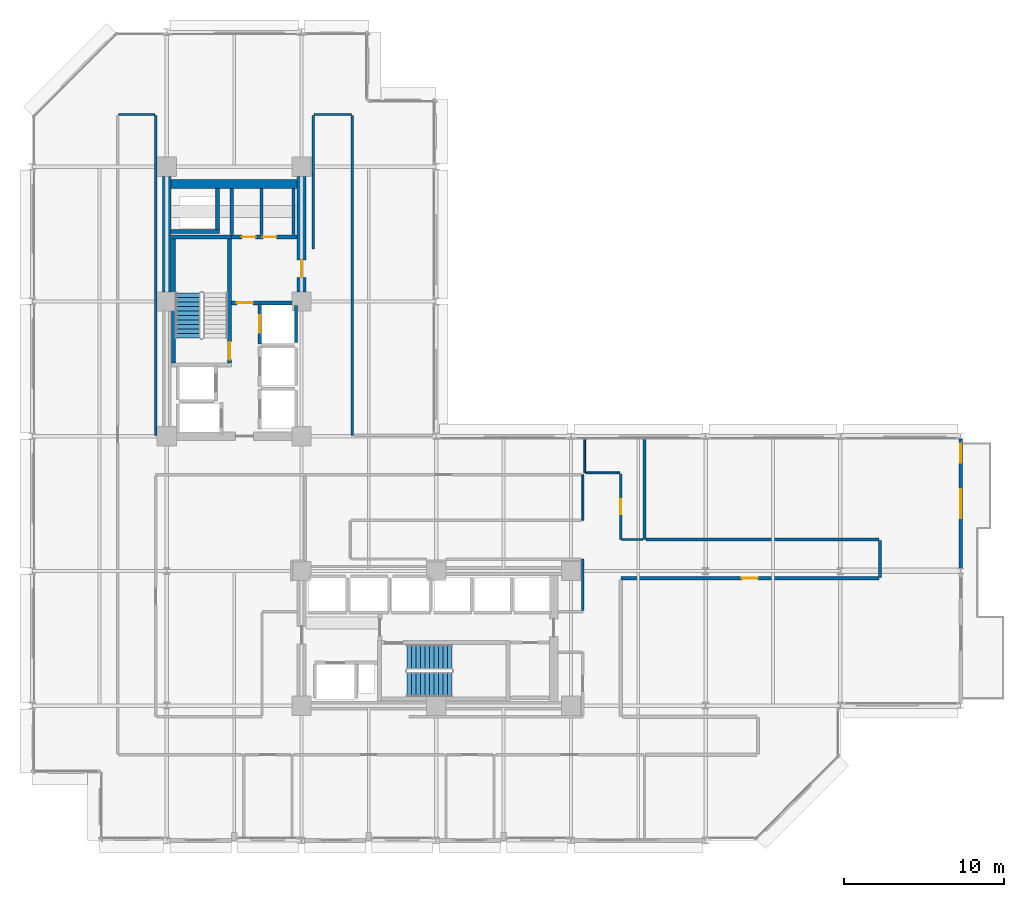
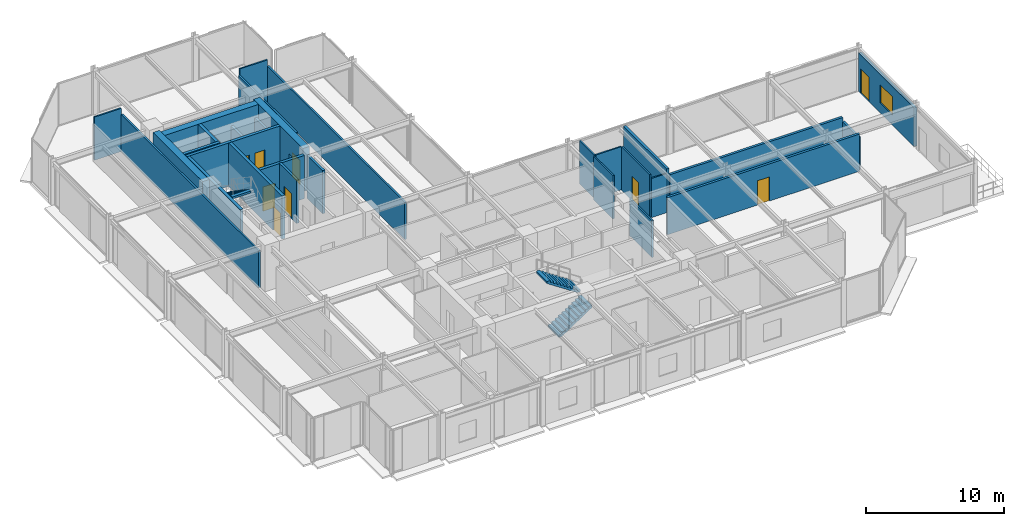
# One storey, part 34 of 39: 31 walls, 9 doors, 3 stair flights, 1 window, 10 openings, 2 elements without a shape of their own.
"""IFC4 building model written with IfcOpenShell, lengths in metres."""

from ifc_helpers import new_model, si_unit, direction, frame, frame_2d, origin, place, context, subcontext, project, spatial, polyline, rectangle, outline, extrude, material, layer, layer_set, type_object, element, fill, aggregate, save


model = new_model("IFC4")

# Units and contexts
model_context = context("Model", 3, precision=1e-05, world=origin(), true_north=direction((0.0, 1.0)))
body_context = subcontext(model_context, "Body", "Model", "MODEL_VIEW")
ifc_project = project(units=[si_unit("LENGTHUNIT", "METRE"), si_unit("AREAUNIT", "SQUARE_METRE"), si_unit("VOLUMEUNIT", "CUBIC_METRE"), si_unit("PLANEANGLEUNIT", "RADIAN"), si_unit("MASSUNIT", "GRAM", prefix="KILO")], contexts=[model_context])

# Site, building, storey
site_placement = place(None, origin())
site = spatial("IfcSite", under=ifc_project, at=site_placement, CompositionType="ELEMENT")
building_placement = place(site_placement, origin())
building = spatial("IfcBuilding", under=site, at=building_placement, Name="Nerrivon Quay Data Exchange", CompositionType="ELEMENT")
storey_placement = place(building_placement, frame((0.0, 0.0, 92.60009765625)))
storey = spatial("IfcBuildingStorey", under=building, at=storey_placement, Name="L21", CompositionType="ELEMENT", Elevation=92.60009765625)

# Wall, openings, door, window
ifc_material_1 = material(Name="Architectural terracotta precast concrete N50 (50 MPa)", Category="masonry")
ifc_layer_1 = layer(ifc_material_1, 0.239990234375)
ifc_layer_set_1 = layer_set([ifc_layer_1], Name="Architectural terracotta precast concrete N50 (50 MPa)")
wall_type_1 = type_object("IfcWallType", Name="EW-PREC-240", PredefinedType="STANDARD", material=ifc_layer_set_1)
wall_1_placement = place(storey_placement, frame((57.89990234375, 25.03662109375, 0.0), z_axis=(0.0, 0.0, 1.0), x_axis=(0.0, -1.0, 0.0)))
wall_1 = element("IfcWall", 1, at=wall_1_placement, inside=storey, type_object=wall_type_1, Name="L21 Terrace Host Wall 1", PredefinedType="STANDARD", context=body_context, shape_type="SweptSolid", body=[
    extrude(rectangle(XDim=8.0732421875, YDim=0.239990234375, at=frame_2d((4.03662109375, 0.0))), origin(), (0.0, 0.0, 1.0), 3.421875),
])
opening_1_placement = place(wall_1_placement, frame((0.300048828125, 0.0, 0.0)))
opening_1 = element("IfcOpeningElement", 2, at=opening_1_placement, cuts=wall_1, Name="Opening TD1", PredefinedType="OPENING", context=body_context, shape_type="SweptSolid", body=[
    extrude(rectangle(XDim=1.199951171875, YDim=2.199951171875, at=frame_2d((0.60009765625, 1.10009765625))), frame((0.0, 0.1298828125, 0.0), z_axis=(0.0, -1.0, 0.0), x_axis=(1.0, 0.0, 0.0)), (0.0, 0.0, 1.0), 0.260009765625),
])
opening_2_placement = place(wall_1_placement, frame((3.136474609375, 0.0, 0.89990234375)))
opening_2 = element("IfcOpeningElement", 3, at=opening_2_placement, cuts=wall_1, Name="Opening WN2", PredefinedType="OPENING", context=body_context, shape_type="SweptSolid", body=[
    extrude(rectangle(XDim=1.800048828125, YDim=1.60009765625, at=frame_2d((0.89990234375, 0.800048828125))), frame((0.0, 0.1298828125, 0.0), z_axis=(0.0, -1.0, 0.0), x_axis=(1.0, 0.0, 0.0)), (0.0, 0.0, 1.0), 0.260009765625),
])
ifc_material_2 = material(Name="Double-glazed low-E solar control glass", Category="glass")
door_type_1 = type_object("IfcDoorType", Name="DR-TERR-1200x2200", OperationType="NOTDEFINED", PredefinedType="DOOR", material=ifc_material_2)
door_1_placement = place(opening_1_placement, origin())
door_1 = element("IfcDoor", 4, at=door_1_placement, inside=storey, type_object=door_type_1, Name="L21 Outdoor Terrace Access Door 1", OperationType="SINGLE_SWING_RIGHT", OverallHeight=2.199951171875, OverallWidth=1.199951171875, PredefinedType="DOOR", context=body_context, shape_type="SweptSolid", body=[
    extrude(rectangle(XDim=1.199951171875, YDim=2.199951171875, at=frame_2d((0.60009765625, 1.10009765625))), frame((0.0, 0.02490234375, 0.0), z_axis=(0.0, -1.0, 0.0), x_axis=(1.0, 0.0, 0.0)), (0.0, 0.0, 1.0), 0.050048828125),
])
fill(opening_1, door_1)
window_type = type_object("IfcWindowType", Name="WIN-W2-1800x1600", PartitioningType="SINGLE_PANEL", PredefinedType="WINDOW", material=ifc_material_2)
window_placement = place(opening_2_placement, origin())
window = element("IfcWindow", 5, at=window_placement, inside=storey, type_object=window_type, Name="L21 Terrace Side Window 1", OverallHeight=1.60009765625, OverallWidth=1.800048828125, PartitioningType="SINGLE_PANEL", PredefinedType="WINDOW", context=body_context, shape_type="SweptSolid", body=[
    extrude(rectangle(XDim=1.800048828125, YDim=1.60009765625, at=frame_2d((0.89990234375, 0.800048828125))), frame((0.0, 0.030029296875, 0.0), z_axis=(0.0, -1.0, 0.0), x_axis=(1.0, 0.0, 0.0)), (0.0, 0.0, 1.0), 0.06005859375),
])
fill(opening_2, window)

# Walls
ifc_material_3 = material(Name="Concrete S65 (65 MPa)", Category="concrete")
ifc_layer_2 = layer(ifc_material_3, 0.550048828125)
ifc_layer_set_2 = layer_set([ifc_layer_2], Name="Concrete S65 (65 MPa)")
wall_type_2 = type_object("IfcWallType", Name="WALL-CW-700", PredefinedType="SHEAR", material=ifc_layer_set_2)
wall_2_placement = place(storey_placement, frame((8.39990234375, 34.199951171875, 0.0), z_axis=(0.0, 0.0, 1.0), x_axis=(0.0, 1.0, 0.0)))
element("IfcWall", 6, at=wall_2_placement, inside=storey, type_object=wall_type_2, Name="L21 West Split-Core Shear Wall WCW-W2", PredefinedType="SHEAR", context=body_context, shape_type="SweptSolid", body=[
    extrude(rectangle(XDim=7.199951171875, YDim=0.550048828125, at=frame_2d((3.60009765625, 0.0))), origin(), (0.0, 0.0, 1.0), 3.824951171875),
])
wall_3_placement = place(storey_placement, frame((8.675048828125, 40.925048828125, 0.0), z_axis=(0.0, 0.0, 1.0), x_axis=(1.0, 0.0, 0.0)))
element("IfcWall", 7, at=wall_3_placement, inside=storey, type_object=wall_type_2, Name="L21 West Split-Core Shear Wall WCW-N1", PredefinedType="SHEAR", context=body_context, shape_type="SweptSolid", body=[
    extrude(rectangle(XDim=7.849853515625, YDim=0.550048828125, at=frame_2d((3.9248046875, 0.0))), origin(), (0.0, 0.0, 1.0), 3.824951171875),
])

# Wall, opening, door
wall_4_placement = place(storey_placement, frame((16.800048828125, 34.199951171875, 0.0), z_axis=(0.0, 0.0, 1.0), x_axis=(0.0, 1.0, 0.0)))
wall_4 = element("IfcWall", 8, at=wall_4_placement, inside=storey, type_object=wall_type_2, Name="L21 West Split-Core Shear Wall WCW-E1", PredefinedType="SHEAR", context=body_context, shape_type="SweptSolid", body=[
    extrude(rectangle(XDim=7.199951171875, YDim=0.550048828125, at=frame_2d((3.60009765625, 0.0))), origin(), (0.0, 0.0, 1.0), 3.824951171875),
])
opening_3_placement = place(wall_4_placement, frame((0.89990234375, 0.0, 0.0)))
opening_3 = element("IfcOpeningElement", 9, at=opening_3_placement, cuts=wall_4, Name="Opening FD-120", PredefinedType="OPENING", context=body_context, shape_type="SweptSolid", body=[
    extrude(rectangle(XDim=1.10009765625, YDim=2.14990234375, at=frame_2d((0.550048828125, 1.074951171875))), frame((0.0, 0.284912109375, 0.0), z_axis=(0.0, -1.0, 0.0), x_axis=(1.0, 0.0, 0.0)), (0.0, 0.0, 1.0), 0.570068359375),
])
ifc_material_4 = material(Name="Powder-coated galvanized steel sheet", Category="steel")
door_type_2 = type_object("IfcDoorType", Name="DR-FD120-1100", OperationType="NOTDEFINED", PredefinedType="DOOR", material=ifc_material_4)
door_2_placement = place(opening_3_placement, origin())
door_2 = element("IfcDoor", 10, at=door_2_placement, inside=storey, type_object=door_type_2, Name="L21 West Core Lobby Fire Door", OperationType="SINGLE_SWING_RIGHT", OverallHeight=2.14990234375, OverallWidth=1.10009765625, PredefinedType="DOOR", context=body_context, shape_type="SweptSolid", body=[
    extrude(rectangle(XDim=1.10009765625, YDim=2.14990234375, at=frame_2d((0.550048828125, 1.074951171875))), frame((0.0, 0.02490234375, 0.0), z_axis=(0.0, -1.0, 0.0), x_axis=(1.0, 0.0, 0.0)), (0.0, 0.0, 1.0), 0.050048828125),
])
fill(opening_3, door_2)

ifc_material_5 = material(Name="Gypsum plasterboard on cold-formed framing", Category="gypsum")
ifc_layer_3 = layer(ifc_material_5, 0.199951171875)
ifc_layer_set_3 = layer_set([ifc_layer_3], Name="Gypsum plasterboard on cold-formed framing")
wall_type_3 = type_object("IfcWallType", Name="WALL-FW-200", PredefinedType="PARTITIONING", material=ifc_layer_set_3)
wall_5_placement = place(storey_placement, frame((14.199951171875, 30.949951171875, 0.0), z_axis=(0.0, 0.0, 1.0), x_axis=(0.0, 1.0, 0.0)))
wall_5 = element("IfcWall", 11, at=wall_5_placement, inside=storey, type_object=wall_type_3, Name="L21 Lift Front Wall PL3", PredefinedType="PARTITIONING", context=body_context, shape_type="SweptSolid", body=[
    extrude(rectangle(XDim=2.5, YDim=0.199951171875, at=frame_2d((1.25, 0.0))), origin(), (0.0, 0.0, 1.0), 3.824951171875),
])
opening_4_placement = place(wall_5_placement, frame((0.699951171875, 0.0, 0.0)))
opening_4 = element("IfcOpeningElement", 12, at=opening_4_placement, cuts=wall_5, Name="Opening LD-120", PredefinedType="OPENING", context=body_context, shape_type="SweptSolid", body=[
    extrude(rectangle(XDim=1.10009765625, YDim=2.199951171875, at=frame_2d((0.550048828125, 1.10009765625))), frame((0.0, 0.10986328125, 0.0), z_axis=(0.0, -1.0, 0.0), x_axis=(1.0, 0.0, 0.0)), (0.0, 0.0, 1.0), 0.219970703125),
])
door_type_3 = type_object("IfcDoorType", Name="DR-LIFT-LD120", OperationType="DOUBLE_DOOR_SLIDING", PredefinedType="DOOR", material=ifc_material_4)
door_3_placement = place(opening_4_placement, origin())
door_3 = element("IfcDoor", 13, at=door_3_placement, inside=storey, type_object=door_type_3, Name="L21 Lift Landing Sliding Door PL3", OperationType="DOUBLE_DOOR_SLIDING", OverallHeight=2.199951171875, OverallWidth=1.10009765625, PredefinedType="DOOR", context=body_context, shape_type="SweptSolid", body=[
    extrude(rectangle(XDim=1.10009765625, YDim=2.199951171875, at=frame_2d((0.550048828125, 1.10009765625))), frame((0.0, 0.02490234375, 0.0), z_axis=(0.0, -1.0, 0.0), x_axis=(1.0, 0.0, 0.0)), (0.0, 0.0, 1.0), 0.050048828125),
])
fill(opening_4, door_3)

# Walls
wall_6_placement = place(storey_placement, frame((16.449951171875, 31.050048828125, 0.0), z_axis=(0.0, 0.0, 1.0), x_axis=(0.0, 1.0, 0.0)))
element("IfcWall", 14, at=wall_6_placement, inside=storey, type_object=wall_type_3, Name="L21 Lift Shaft Wall PL3 EAST", PredefinedType="PARTITIONING", context=body_context, shape_type="SweptSolid", body=[
    extrude(rectangle(XDim=2.300048828125, YDim=0.199951171875, at=frame_2d((1.14990234375, 0.0))), origin(), (0.0, 0.0, 1.0), 3.824951171875),
])
for number, where, z_axis, x_axis, name in (
    (15, (14.300048828125, 37.780029296875, 0.0), (0.0, 0.0, 1.0), (0.0, 1.0, 0.0), "L21 Partition Cleaners Store"),
    (16, (12.449951171875, 40.64599609375, 0.0), (0.0, 0.0, 1.0), (0.0, -1.0, 0.0), "L21 Partition Cleaners Store"),
    (17, (16.300048828125, 37.780029296875, 0.0), (0.0, 0.0, 1.0), (0.0, 1.0, 0.0), "L21 Partition Janitor Closet"),
):
    element("IfcWall", number, at=place(storey_placement, frame(where, z_axis=z_axis, x_axis=x_axis)), inside=storey, type_object=wall_type_3, Name=name, PredefinedType="PARTITIONING", context=body_context, shape_type="SweptSolid", body=[
        extrude(rectangle(XDim=2.865966796875, YDim=0.199951171875, at=frame_2d((1.43310546875, 0.0))), origin(), (0.0, 0.0, 1.0), 2.724853515625),
    ])

# Wall, opening, door
wall_7_placement = place(storey_placement, frame((52.800048828125, 16.340087890625, 0.0), z_axis=(0.0, 0.0, 1.0), x_axis=(-1.0, 0.0, 0.0)))
wall_7 = element("IfcWall", 18, at=wall_7_placement, inside=storey, type_object=wall_type_3, Name="L21 Partition Colocation Data Workspace 1", PredefinedType="PARTITIONING", context=body_context, shape_type="SweptSolid", body=[
    extrude(rectangle(XDim=16.090087890625, YDim=0.199951171875, at=frame_2d((8.044921875, 0.0))), origin(), (0.0, 0.0, 1.0), 3.296875),
])
opening_5_placement = place(wall_7_placement, frame((7.544921875, 0.0, 0.0)))
opening_5 = element("IfcOpeningElement", 19, at=opening_5_placement, cuts=wall_7, Name="Opening FD-60", PredefinedType="OPENING", context=body_context, shape_type="SweptSolid", body=[
    extrude(rectangle(XDim=1.0, YDim=2.14990234375, at=frame_2d((0.5, 1.074951171875))), frame((0.0, 0.10986328125, 0.0), z_axis=(0.0, -1.0, 0.0), x_axis=(1.0, 0.0, 0.0)), (0.0, 0.0, 1.0), 0.219970703125),
])
ifc_material_6 = material(Name="Engineered hardwood timber", Category="wood")
door_type_4 = type_object("IfcDoorType", Name="DR-FD60-1000", OperationType="NOTDEFINED", PredefinedType="DOOR", material=ifc_material_6)
door_4_placement = place(opening_5_placement, origin())
door_4 = element("IfcDoor", 20, at=door_4_placement, inside=storey, type_object=door_type_4, Name="L21 Door Colocation Data Workspace 1", OperationType="SINGLE_SWING_RIGHT", OverallHeight=2.14990234375, OverallWidth=1.0, PredefinedType="DOOR", context=body_context, shape_type="SweptSolid", body=[
    extrude(rectangle(XDim=1.0, YDim=2.14990234375, at=frame_2d((0.5, 1.074951171875))), frame((0.0, 0.02490234375, 0.0), z_axis=(0.0, -1.0, 0.0), x_axis=(1.0, 0.0, 0.0)), (0.0, 0.0, 1.0), 0.050048828125),
])
fill(opening_5, door_4)

# Walls
wall_8_placement = place(storey_placement, frame((38.181884765625, 25.031005859375, 0.0), z_axis=(0.0, 0.0, 1.0), x_axis=(0.0, -1.0, 0.0)))
element("IfcWall", 21, at=wall_8_placement, inside=storey, type_object=wall_type_3, Name="L21 Partition Colocation Data Workspace 1", PredefinedType="PARTITIONING", context=body_context, shape_type="SweptSolid", body=[
    extrude(rectangle(XDim=6.27099609375, YDim=0.199951171875, at=frame_2d((3.135498046875, 0.0))), origin(), (0.0, 0.0, 1.0), 3.824951171875),
])
wall_9_placement = place(storey_placement, frame((38.285888671875, 18.760009765625, 0.0), z_axis=(0.0, 0.0, 1.0), x_axis=(1.0, 0.0, 0.0)))
element("IfcWall", 22, at=wall_9_placement, inside=storey, type_object=wall_type_3, Name="L21 Partition Colocation Data Workspace 1", PredefinedType="PARTITIONING", context=body_context, shape_type="SweptSolid", body=[
    extrude(rectangle(XDim=14.51416015625, YDim=0.199951171875, at=frame_2d((7.257080078125, 0.0))), origin(), (0.0, 0.0, 1.0), 3.296875),
])
wall_10_placement = place(storey_placement, frame((52.860107421875, 18.699951171875, 0.0), z_axis=(0.0, 0.0, 1.0), x_axis=(0.0, -1.0, 0.0)))
element("IfcWall", 23, at=wall_10_placement, inside=storey, type_object=wall_type_3, Name="L21 Partition Colocation Data Workspace 1", PredefinedType="PARTITIONING", context=body_context, shape_type="SweptSolid", body=[
    extrude(rectangle(XDim=2.300048828125, YDim=0.199951171875, at=frame_2d((1.14990234375, 0.0))), origin(), (0.0, 0.0, 1.0), 2.914794921875),
])
ifc_layer_4 = layer(ifc_material_5, 0.1201171875)
ifc_layer_set_4 = layer_set([ifc_layer_4], Name="Gypsum plasterboard on cold-formed framing")
wall_type_4 = type_object("IfcWallType", Name="WALL-PT-120", PredefinedType="PARTITIONING", material=ifc_layer_set_4)
wall_11_placement = place(storey_placement, frame((34.340087890625, 19.9599609375, 0.0), z_axis=(0.0, 0.0, 1.0), x_axis=(0.0, 1.0, 0.0)))
element("IfcWall", 24, at=wall_11_placement, inside=storey, type_object=wall_type_4, Name="L21 Partition Technical Library", PredefinedType="PARTITIONING", context=body_context, shape_type="SweptSolid", body=[
    extrude(rectangle(XDim=2.830078125, YDim=0.1201171875, at=frame_2d((1.4150390625, 0.0))), origin(), (0.0, 0.0, 1.0), 3.824951171875),
])
wall_12_placement = place(storey_placement, frame((36.781494140625, 18.760009765625, 0.0), z_axis=(0.0, 0.0, 1.0), x_axis=(1.0, 0.0, 0.0)))
element("IfcWall", 25, at=wall_12_placement, inside=storey, type_object=wall_type_4, Name="L21 Partition Optical Engineering Studios Workspace", PredefinedType="PARTITIONING", context=body_context, shape_type="SweptSolid", body=[
    extrude(rectangle(XDim=1.29638671875, YDim=0.1201171875, at=frame_2d((0.648193359375, 0.0))), origin(), (0.0, 0.0, 1.0), 3.468994140625),
])
wall_13_placement = place(storey_placement, frame((34.4599609375, 25.031005859375, 0.0), z_axis=(0.0, 0.0, 1.0), x_axis=(0.0, -1.0, 0.0)))
element("IfcWall", 26, at=wall_13_placement, inside=storey, type_object=wall_type_4, Name="L21 Partition Optical Engineering Studios Workspace", PredefinedType="PARTITIONING", context=body_context, shape_type="SweptSolid", body=[
    extrude(rectangle(XDim=2.12109375, YDim=0.1201171875, at=frame_2d((1.060546875, 0.0))), origin(), (0.0, 0.0, 1.0), 3.824951171875),
])
wall_14_placement = place(storey_placement, frame((34.52392578125, 22.909912109375, 0.0), z_axis=(0.0, 0.0, 1.0), x_axis=(1.0, 0.0, 0.0)))
element("IfcWall", 27, at=wall_14_placement, inside=storey, type_object=wall_type_4, Name="L21 Partition Optical Engineering Studios Workspace", PredefinedType="PARTITIONING", context=body_context, shape_type="SweptSolid", body=[
    extrude(rectangle(XDim=2.1259765625, YDim=0.1201171875, at=frame_2d((1.06298828125, 0.0))), origin(), (0.0, 0.0, 1.0), 3.824951171875),
])
wall_15_placement = place(storey_placement, frame((5.39990234375, 45.260009765625, 0.0), z_axis=(0.0, 0.0, 1.0), x_axis=(1.0, 0.0, 0.0)))
element("IfcWall", 28, at=wall_15_placement, inside=storey, type_object=wall_type_4, Name="L21 Partition Optical Engineering Studios Workspace", PredefinedType="PARTITIONING", context=body_context, shape_type="SweptSolid", body=[
    extrude(rectangle(XDim=2.25, YDim=0.1201171875, at=frame_2d((1.125, 0.0))), origin(), (0.0, 0.0, 1.0), 3.824951171875),
])
wall_16_placement = place(storey_placement, frame((17.60009765625, 45.260009765625, 0.0), z_axis=(0.0, 0.0, 1.0), x_axis=(1.0, 0.0, 0.0)))
element("IfcWall", 29, at=wall_16_placement, inside=storey, type_object=wall_type_4, Name="L21 Partition Optical Engineering Studios Workspace", PredefinedType="PARTITIONING", context=body_context, shape_type="SweptSolid", body=[
    extrude(rectangle(XDim=2.2998046875, YDim=0.1201171875, at=frame_2d((1.14990234375, 0.0))), origin(), (0.0, 0.0, 1.0), 3.824951171875),
])
ifc_layer_5 = layer(ifc_material_5, 0.135009765625)
ifc_layer_set_5 = layer_set([ifc_layer_5], Name="Gypsum plasterboard on cold-formed framing")
wall_type_5 = type_object("IfcWallType", Name="WALL-PT-135", PredefinedType="PARTITIONING", material=ifc_layer_set_5)
wall_17_placement = place(storey_placement, frame((34.340087890625, 14.323974609375, 0.0), z_axis=(0.0, 0.0, 1.0), x_axis=(0.0, 1.0, 0.0)))
element("IfcWall", 30, at=wall_17_placement, inside=storey, type_object=wall_type_5, Name="L21 Partition Technical Library", PredefinedType="PARTITIONING", context=body_context, shape_type="SweptSolid", body=[
    extrude(rectangle(XDim=3.216064453125, YDim=0.135009765625, at=frame_2d((1.60791015625, 0.0))), origin(), (0.0, 0.0, 1.0), 3.2919921875),
])

# Wall, opening, door
wall_18_placement = place(storey_placement, frame((36.7099609375, 22.85009765625, 0.0), z_axis=(0.0, 0.0, 1.0), x_axis=(0.0, -1.0, 0.0)))
wall_18 = element("IfcWall", 31, at=wall_18_placement, inside=storey, type_object=wall_type_5, Name="L21 Partition Optical Engineering Studios Workspace", PredefinedType="PARTITIONING", context=body_context, shape_type="SweptSolid", body=[
    extrude(rectangle(XDim=4.090087890625, YDim=0.135009765625, at=frame_2d((2.044921875, 0.0))), origin(), (0.0, 0.0, 1.0), 3.824951171875),
])
opening_6_placement = place(wall_18_placement, frame((1.570068359375, 0.0, 0.0)))
opening_6 = element("IfcOpeningElement", 32, at=opening_6_placement, cuts=wall_18, Name="Opening D-01", PredefinedType="OPENING", context=body_context, shape_type="SweptSolid", body=[
    extrude(rectangle(XDim=0.949951171875, YDim=2.14990234375, at=frame_2d((0.47509765625, 1.074951171875))), frame((0.0, 0.077392578125, 0.0), z_axis=(0.0, -1.0, 0.0), x_axis=(1.0, 0.0, 0.0)), (0.0, 0.0, 1.0), 0.155029296875),
])
door_type_5 = type_object("IfcDoorType", Name="DR-INT-950", OperationType="NOTDEFINED", PredefinedType="DOOR", material=ifc_material_6)
door_5_placement = place(opening_6_placement, origin())
door_5 = element("IfcDoor", 33, at=door_5_placement, inside=storey, type_object=door_type_5, Name="L21 Door Optical Engineering Studios Workspace", OperationType="SINGLE_SWING_LEFT", OverallHeight=2.14990234375, OverallWidth=0.949951171875, PredefinedType="DOOR", context=body_context, shape_type="SweptSolid", body=[
    extrude(rectangle(XDim=0.949951171875, YDim=2.14990234375, at=frame_2d((0.47509765625, 1.074951171875))), frame((0.0, 0.02490234375, 0.0), z_axis=(0.0, -1.0, 0.0), x_axis=(1.0, 0.0, 0.0)), (0.0, 0.0, 1.0), 0.050048828125),
])
fill(opening_6, door_5)

# Walls
ifc_layer_6 = layer(ifc_material_5, 0.14990234375)
ifc_layer_set_6 = layer_set([ifc_layer_6], Name="Gypsum plasterboard on cold-formed framing")
wall_type_6 = type_object("IfcWallType", Name="WALL-PT-150", PredefinedType="PARTITIONING", material=ifc_layer_set_6)
wall_19_placement = place(storey_placement, frame((7.709716796875, 45.205810546875, 0.0), z_axis=(0.0, 0.0, 1.0), x_axis=(1.2240202e-05, -0.999999999925, 0.0)))
element("IfcWall", 34, at=wall_19_placement, inside=storey, type_object=wall_type_6, Name="L21 Partition Optical Engineering Studios Workspace", PredefinedType="PARTITIONING", context=body_context, shape_type="SweptSolid", body=[
    extrude(rectangle(XDim=19.94580078125, YDim=0.14990234375, at=frame_2d((9.972900390625, 0.0))), origin(), (0.0, 0.0, 1.0), 3.2919921875),
])
wall_20_placement = place(storey_placement, frame((17.5400390625, 36.860107421875, 0.0), z_axis=(0.0, 0.0, 1.0), x_axis=(0.0, 1.0, 0.0)))
element("IfcWall", 35, at=wall_20_placement, inside=storey, type_object=wall_type_6, Name="L21 Partition Optical Engineering Studios Workspace", PredefinedType="PARTITIONING", context=body_context, shape_type="SweptSolid", body=[
    extrude(rectangle(XDim=8.33984375, YDim=0.14990234375, at=frame_2d((4.169921875, 0.0))), origin(), (0.0, 0.0, 1.0), 3.2919921875),
])
wall_21_placement = place(storey_placement, frame((19.9599609375, 45.199951171875, 0.0), z_axis=(0.0, 0.0, 1.0), x_axis=(0.0, -1.0, 0.0)))
element("IfcWall", 36, at=wall_21_placement, inside=storey, type_object=wall_type_6, Name="L21 Partition Optical Engineering Studios Workspace", PredefinedType="PARTITIONING", context=body_context, shape_type="SweptSolid", body=[
    extrude(rectangle(XDim=19.93994140625, YDim=0.14990234375, at=frame_2d((9.969970703125, 0.0))), origin(), (0.0, 0.0, 1.0), 3.2919921875),
])
ifc_material_7 = material(Name="Concrete N50 (50 MPa)", Category="concrete")
ifc_layer_7 = layer(ifc_material_7, 0.25)
ifc_layer_set_7 = layer_set([ifc_layer_7], Name="Concrete N50 (50 MPa)")
wall_type_7 = type_object("IfcWallType", Name="WALL-SW-250", PredefinedType="SHEAR", material=ifc_layer_set_7)
wall_22_placement = place(storey_placement, frame((12.449951171875, 37.625, 0.0), z_axis=(0.0, 0.0, 1.0), x_axis=(-1.0, 0.0, 0.0)))
element("IfcWall", 37, at=wall_22_placement, inside=storey, type_object=wall_type_7, Name="L21 ST01 Structural Stair Core Wall FAR", PredefinedType="SHEAR", context=body_context, shape_type="SweptSolid", body=[
    extrude(rectangle(XDim=3.75, YDim=0.25, at=frame_2d((1.875, 0.0))), origin(), (0.0, 0.0, 1.0), 3.824951171875),
])

# Wall, opening, door
wall_23_placement = place(storey_placement, frame((12.324951171875, 29.75, 0.0), z_axis=(0.0, 0.0, 1.0), x_axis=(0.0, 1.0, 0.0)))
wall_23 = element("IfcWall", 38, at=wall_23_placement, inside=storey, type_object=wall_type_7, Name="L21 ST01 Structural Stair Core Wall LEFT", PredefinedType="SHEAR", context=body_context, shape_type="SweptSolid", body=[
    extrude(rectangle(XDim=7.75, YDim=0.25, at=frame_2d((3.875, 0.0))), origin(), (0.0, 0.0, 1.0), 3.824951171875),
])
opening_7_placement = place(wall_23_placement, frame((0.219970703125, 0.0, 0.0)))
opening_7 = element("IfcOpeningElement", 39, at=opening_7_placement, cuts=wall_23, Name="Opening FD-120", PredefinedType="OPENING", context=body_context, shape_type="SweptSolid", body=[
    extrude(rectangle(XDim=1.10009765625, YDim=2.14990234375, at=frame_2d((0.550048828125, 1.074951171875))), frame((0.0, 0.135009765625, 0.0), z_axis=(0.0, -1.0, 0.0), x_axis=(1.0, 0.0, 0.0)), (0.0, 0.0, 1.0), 0.27001953125),
])
door_6_placement = place(opening_7_placement, origin())
door_6 = element("IfcDoor", 40, at=door_6_placement, inside=storey, type_object=door_type_2, Name="L21 Protected Stair Door ST01", OperationType="SINGLE_SWING_RIGHT", OverallHeight=2.14990234375, OverallWidth=1.10009765625, PredefinedType="DOOR", context=body_context, shape_type="SweptSolid", body=[
    extrude(rectangle(XDim=1.10009765625, YDim=2.14990234375, at=frame_2d((0.550048828125, 1.074951171875))), frame((0.0, 0.02490234375, 0.0), z_axis=(0.0, -1.0, 0.0), x_axis=(1.0, 0.0, 0.0)), (0.0, 0.0, 1.0), 0.050048828125),
])
fill(opening_7, door_6)

# Walls
wall_24_placement = place(storey_placement, frame((8.824951171875, 29.75, 0.0), z_axis=(0.0, 0.0, 1.0), x_axis=(0.0, 1.0, 0.0)))
element("IfcWall", 41, at=wall_24_placement, inside=storey, type_object=wall_type_7, Name="L21 ST01 Structural Stair Core Wall RIGHT", PredefinedType="SHEAR", context=body_context, shape_type="SweptSolid", body=[
    extrude(rectangle(XDim=7.75, YDim=0.25, at=frame_2d((3.875, 0.0))), origin(), (0.0, 0.0, 1.0), 3.824951171875),
])
wall_25_placement = place(storey_placement, frame((8.675048828125, 37.97509765625, 0.0), z_axis=(0.0, 0.0, 1.0), x_axis=(1.0, 0.0, 0.0)))
element("IfcWall", 42, at=wall_25_placement, inside=storey, type_object=wall_type_7, Name="L21 West Core MEP Riser Shaft Wall S", PredefinedType="SHEAR", context=body_context, shape_type="SweptSolid", body=[
    extrude(rectangle(XDim=3.02490234375, YDim=0.25, at=frame_2d((1.512451171875, 0.0))), origin(), (0.0, 0.0, 1.0), 3.824951171875),
])
wall_26_placement = place(storey_placement, frame((11.574951171875, 38.10009765625, 0.0), z_axis=(0.0, 0.0, 1.0), x_axis=(0.0, 1.0, 0.0)))
element("IfcWall", 43, at=wall_26_placement, inside=storey, type_object=wall_type_7, Name="L21 West Core MEP Riser Shaft Wall E", PredefinedType="SHEAR", context=body_context, shape_type="SweptSolid", body=[
    extrude(rectangle(XDim=2.5498046875, YDim=0.25, at=frame_2d((1.27490234375, 0.0))), origin(), (0.0, 0.0, 1.0), 3.824951171875),
])

# Wall, opening, door
wall_27_placement = place(storey_placement, frame((12.449951171875, 33.52001953125, 0.0), z_axis=(0.0, 0.0, 1.0), x_axis=(1.0, 0.0, 0.0)))
wall_27 = element("IfcWall", 44, at=wall_27_placement, inside=storey, type_object=wall_type_7, Name="L21 West Lobby Smoke-Stop Wall", PredefinedType="SHEAR", context=body_context, shape_type="SweptSolid", body=[
    extrude(rectangle(XDim=3.75, YDim=0.25, at=frame_2d((1.875, 0.0))), origin(), (0.0, 0.0, 1.0), 3.824951171875),
])
opening_8_placement = place(wall_27_placement, frame((0.320068359375, 0.0, 0.0)))
opening_8 = element("IfcOpeningElement", 45, at=opening_8_placement, cuts=wall_27, Name="Opening FD-60", PredefinedType="OPENING", context=body_context, shape_type="SweptSolid", body=[
    extrude(rectangle(XDim=1.0, YDim=2.14990234375, at=frame_2d((0.5, 1.074951171875))), frame((0.0, 0.135009765625, 0.0), z_axis=(0.0, -1.0, 0.0), x_axis=(1.0, 0.0, 0.0)), (0.0, 0.0, 1.0), 0.27001953125),
])
door_7_placement = place(opening_8_placement, origin())
door_7 = element("IfcDoor", 46, at=door_7_placement, inside=storey, type_object=door_type_4, Name="L21 West Firefighting Lobby Fire Door", OperationType="SINGLE_SWING_RIGHT", OverallHeight=2.14990234375, OverallWidth=1.0, PredefinedType="DOOR", context=body_context, shape_type="SweptSolid", body=[
    extrude(rectangle(XDim=1.0, YDim=2.14990234375, at=frame_2d((0.5, 1.074951171875))), frame((0.0, 0.02490234375, 0.0), z_axis=(0.0, -1.0, 0.0), x_axis=(1.0, 0.0, 0.0)), (0.0, 0.0, 1.0), 0.050048828125),
])
fill(opening_8, door_7)

# Wall, openings, doors
wall_28_placement = place(storey_placement, frame((12.449951171875, 37.625, 0.0), z_axis=(0.0, 0.0, 1.0), x_axis=(1.0, 0.0, 0.0)))
wall_28 = element("IfcWall", 47, at=wall_28_placement, inside=storey, type_object=wall_type_7, Name="L21 West Firefighting Lobby Wall", PredefinedType="SHEAR", context=body_context, shape_type="SweptSolid", body=[
    extrude(rectangle(XDim=4.074951171875, YDim=0.25, at=frame_2d((2.03759765625, 0.0))), origin(), (0.0, 0.0, 1.0), 3.824951171875),
])
opening_9_placement = place(wall_28_placement, frame((0.634521484375, 0.0, 0.0)))
opening_9 = element("IfcOpeningElement", 48, at=opening_9_placement, cuts=wall_28, Name="Opening FD-60S", PredefinedType="OPENING", context=body_context, shape_type="SweptSolid", body=[
    extrude(rectangle(XDim=0.85009765625, YDim=2.14990234375, at=frame_2d((0.425048828125, 1.074951171875))), frame((0.0, 0.135009765625, 0.0), z_axis=(0.0, -1.0, 0.0), x_axis=(1.0, 0.0, 0.0)), (0.0, 0.0, 1.0), 0.27001953125),
])
opening_10_placement = place(wall_28_placement, frame((1.9384765625, 0.0, 0.0)))
opening_10 = element("IfcOpeningElement", 49, at=opening_10_placement, cuts=wall_28, Name="Opening FD-60S", PredefinedType="OPENING", context=body_context, shape_type="SweptSolid", body=[
    extrude(rectangle(XDim=0.85009765625, YDim=2.14990234375, at=frame_2d((0.425048828125, 1.074951171875))), frame((0.0, 0.135009765625, 0.0), z_axis=(0.0, -1.0, 0.0), x_axis=(1.0, 0.0, 0.0)), (0.0, 0.0, 1.0), 0.27001953125),
])
door_type_6 = type_object("IfcDoorType", Name="DR-FD60-850", OperationType="NOTDEFINED", PredefinedType="DOOR", material=ifc_material_6)
door_8_placement = place(opening_9_placement, origin())
door_8 = element("IfcDoor", 50, at=door_8_placement, inside=storey, type_object=door_type_6, Name="L21 Door Cleaners Store", OperationType="SINGLE_SWING_RIGHT", OverallHeight=2.14990234375, OverallWidth=0.85009765625, PredefinedType="DOOR", context=body_context, shape_type="SweptSolid", body=[
    extrude(rectangle(XDim=0.85009765625, YDim=2.14990234375, at=frame_2d((0.425048828125, 1.074951171875))), frame((0.0, 0.02490234375, 0.0), z_axis=(0.0, -1.0, 0.0), x_axis=(1.0, 0.0, 0.0)), (0.0, 0.0, 1.0), 0.050048828125),
])
fill(opening_9, door_8)
door_9_placement = place(opening_10_placement, origin())
door_9 = element("IfcDoor", 51, at=door_9_placement, inside=storey, type_object=door_type_6, Name="L21 Door Janitor Closet", OperationType="SINGLE_SWING_LEFT", OverallHeight=2.14990234375, OverallWidth=0.85009765625, PredefinedType="DOOR", context=body_context, shape_type="SweptSolid", body=[
    extrude(rectangle(XDim=0.85009765625, YDim=2.14990234375, at=frame_2d((0.425048828125, 1.074951171875))), frame((0.0, 0.02490234375, 0.0), z_axis=(0.0, -1.0, 0.0), x_axis=(1.0, 0.0, 0.0)), (0.0, 0.0, 1.0), 0.050048828125),
])
fill(opening_10, door_9)

# Stair, stair flight
stair_type = type_object("IfcStairType", Name="STAIR-DOG-41", PredefinedType="HALF_TURN_STAIR", material=ifc_material_7)
stair_1_placement = place(storey_placement, origin())
stair_1 = element("IfcStair", 52, at=stair_1_placement, inside=storey, type_object=stair_type, Name="L21 West Core Fire Stair ST01", PredefinedType="HALF_TURN_STAIR")
stair_flight_type = type_object("IfcStairFlightType", Name="FLIGHT-DOG-41", PredefinedType="STRAIGHT", material=ifc_material_7)
stair_flight_1_placement = place(storey_placement, frame((9.72509765625, 34.1298828125, 2.0498046875), z_axis=(0.0, 0.0, 1.0), x_axis=(0.0, -1.0, 0.0)))
stair_flight_1 = element("IfcStairFlight", 53, at=stair_flight_1_placement, type_object=stair_flight_type, Name="ST01 flight 2", NumberOfRisers=11, NumberOfTreads=10, PredefinedType="STRAIGHT", RiserHeight=0.186363636, TreadLength=0.28, context=body_context, shape_type="SweptSolid", body=[
    extrude(outline(polyline([(0.0, 0.0), (0.0, 0.186279296875), (0.280029296875, 0.186279296875), (0.280029296875, 0.372802734375), (0.56005859375, 0.372802734375), (0.56005859375, 0.55908203125), (0.840087890625, 0.55908203125), (0.840087890625, 0.745361328125), (1.1201171875, 0.745361328125), (1.1201171875, 0.931884765625), (1.39990234375, 0.931884765625), (1.39990234375, 1.1181640625), (1.679931640625, 1.1181640625), (1.679931640625, 1.304443359375), (1.9599609375, 1.304443359375), (1.9599609375, 1.490966796875), (2.239990234375, 1.490966796875), (2.239990234375, 1.67724609375), (2.52001953125, 1.67724609375), (2.52001953125, 1.863525390625), (2.800048828125, 1.863525390625), (2.800048828125, 2.050048828125), (2.800048828125, 1.68359375), (0.2705078125, 0.0), (0.0, 0.0)])), frame((0.0, 0.77490234375, 0.0), z_axis=(0.0, -1.0, 0.0), x_axis=(1.0, 0.0, 0.0)), (0.0, 0.0, 1.0), 1.550048828125),
])
aggregate(stair_1, [stair_flight_1])

# Stair, stair flights
stair_2_placement = place(storey_placement, origin())
stair_2 = element("IfcStair", 54, at=stair_2_placement, inside=storey, type_object=stair_type, Name="L21 East Core Fire Stair ST02", PredefinedType="HALF_TURN_STAIR")
stair_flight_2_placement = place(storey_placement, frame((23.3798828125, 9.72509765625, 0.0), z_axis=(0.0, 0.0, 1.0), x_axis=(1.0, 0.0, 0.0)))
stair_flight_2 = element("IfcStairFlight", 55, at=stair_flight_2_placement, type_object=stair_flight_type, Name="ST02 flight 1", NumberOfRisers=11, NumberOfTreads=10, PredefinedType="STRAIGHT", RiserHeight=0.186363636, TreadLength=0.28, context=body_context, shape_type="SweptSolid", body=[
    extrude(outline(polyline([(0.0, 0.0), (0.0, 0.186279296875), (0.280029296875, 0.186279296875), (0.280029296875, 0.372802734375), (0.56005859375, 0.372802734375), (0.56005859375, 0.55908203125), (0.840087890625, 0.55908203125), (0.840087890625, 0.745361328125), (1.1201171875, 0.745361328125), (1.1201171875, 0.931884765625), (1.39990234375, 0.931884765625), (1.39990234375, 1.1181640625), (1.679931640625, 1.1181640625), (1.679931640625, 1.304443359375), (1.9599609375, 1.304443359375), (1.9599609375, 1.490966796875), (2.239990234375, 1.490966796875), (2.239990234375, 1.67724609375), (2.52001953125, 1.67724609375), (2.52001953125, 1.863525390625), (2.800048828125, 1.863525390625), (2.800048828125, 2.050048828125), (2.800048828125, 1.68359375), (0.2705078125, 0.0), (0.0, 0.0)])), frame((0.0, 0.77490234375, 0.0), z_axis=(0.0, -1.0, 0.0), x_axis=(1.0, 0.0, 0.0)), (0.0, 0.0, 1.0), 1.550048828125),
])
stair_flight_3_placement = place(storey_placement, frame((26.179931640625, 11.425048828125, 2.0498046875), z_axis=(0.0, 0.0, 1.0), x_axis=(-1.0, 0.0, 0.0)))
stair_flight_3 = element("IfcStairFlight", 56, at=stair_flight_3_placement, type_object=stair_flight_type, Name="ST02 flight 2", NumberOfRisers=11, NumberOfTreads=10, PredefinedType="STRAIGHT", RiserHeight=0.186363636, TreadLength=0.28, context=body_context, shape_type="SweptSolid", body=[
    extrude(outline(polyline([(0.0, 0.0), (0.0, 0.186279296875), (0.280029296875, 0.186279296875), (0.280029296875, 0.372802734375), (0.56005859375, 0.372802734375), (0.56005859375, 0.55908203125), (0.840087890625, 0.55908203125), (0.840087890625, 0.745361328125), (1.1201171875, 0.745361328125), (1.1201171875, 0.931884765625), (1.39990234375, 0.931884765625), (1.39990234375, 1.1181640625), (1.679931640625, 1.1181640625), (1.679931640625, 1.304443359375), (1.9599609375, 1.304443359375), (1.9599609375, 1.490966796875), (2.239990234375, 1.490966796875), (2.239990234375, 1.67724609375), (2.52001953125, 1.67724609375), (2.52001953125, 1.863525390625), (2.800048828125, 1.863525390625), (2.800048828125, 2.050048828125), (2.800048828125, 1.68359375), (0.2705078125, 0.0), (0.0, 0.0)])), frame((0.0, 0.77490234375, 0.0), z_axis=(0.0, -1.0, 0.0), x_axis=(1.0, 0.0, 0.0)), (0.0, 0.0, 1.0), 1.550048828125),
])
aggregate(stair_2, [stair_flight_2, stair_flight_3])

save(model, "model.ifc")
